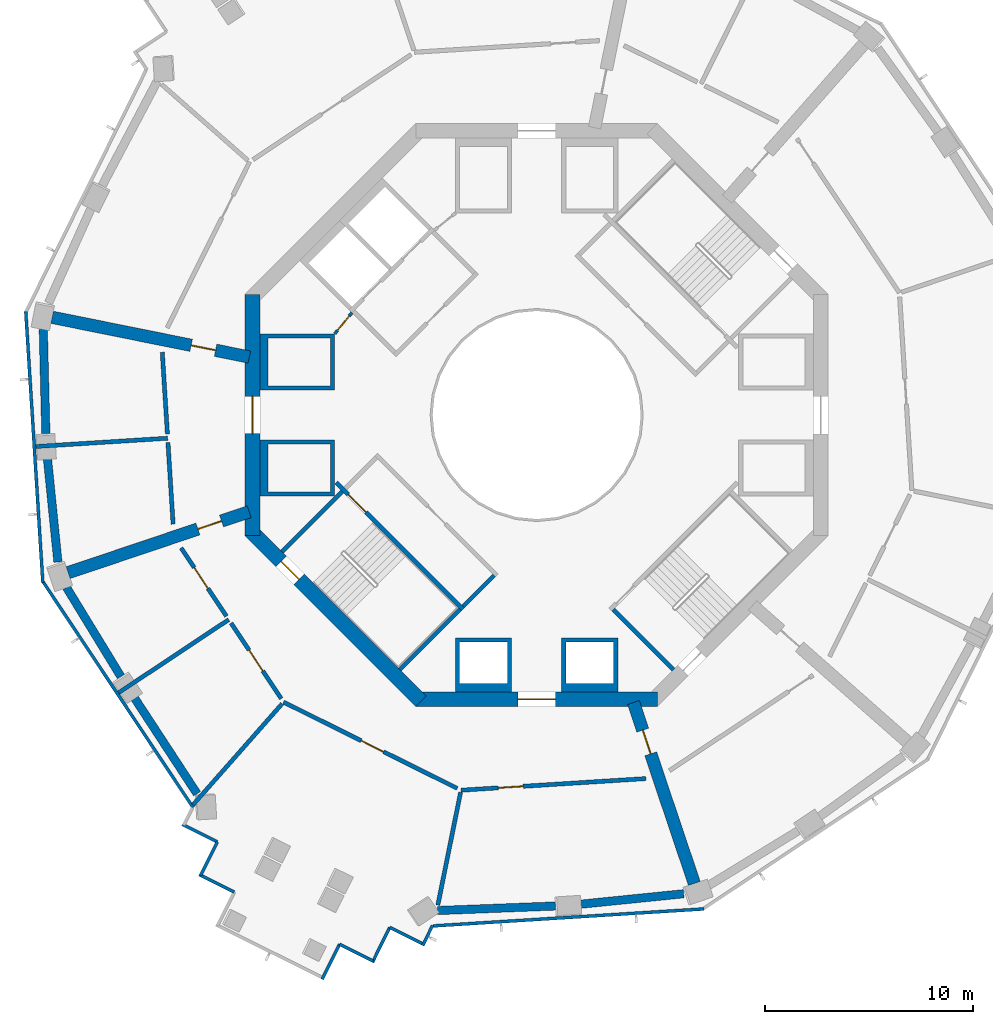
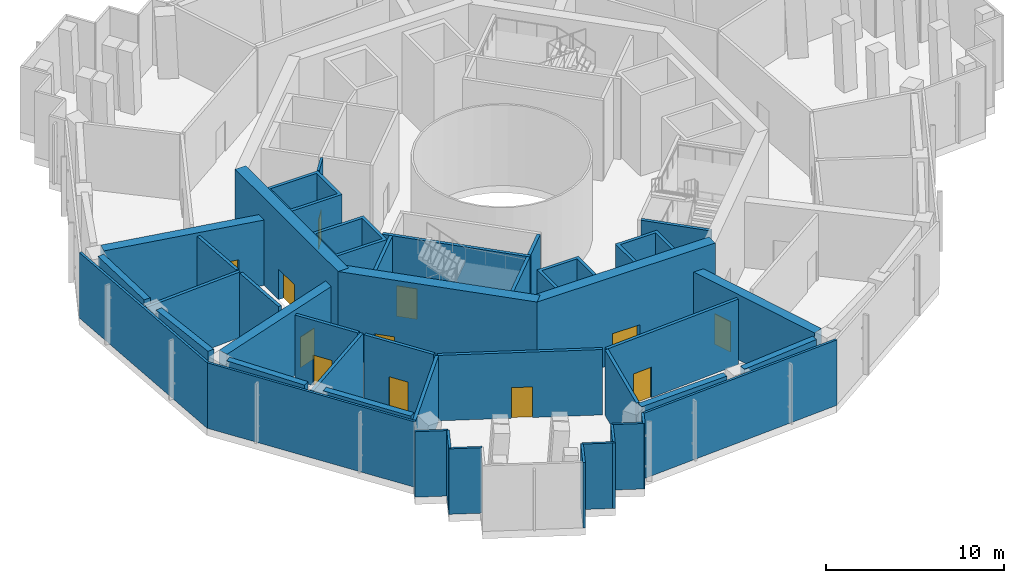
# One storey, part 2 of 16: 43 walls, 12 doors, 12 openings.
"""IFC4 building model written with IfcOpenShell, lengths in metres."""

import ifcopenshell
import ifcopenshell.guid

model = None  # the IFC model being written
_history = None  # IfcOwnerHistory: only IFC2X3 demands one
_inside = {}  # id of a spatial element -> (the spatial element, [elements in it])
_under = {}  # id of a project, library or spatial element -> (it, [spatial elements below it])
_declared = {}  # id of a project -> (the project, [libraries it declares])
_typed = {}  # id of a type object -> (the type object, [elements of that type])
_made_of = {}  # id of a material, layer set ... -> (it, [elements and type objects made of it])


def new_model(schema):
    """Start an empty IFC model of exactly this schema.

    Asked for "IFC4X3", IfcOpenShell would pick the latest addendum, in which some entities
    have other attributes; the version numbers below select the first issue.
    IFC2X3 requires an IfcOwnerHistory on every rooted entity: one is made here for all.
    """
    global model, _history
    if schema == "IFC4X3":
        model = ifcopenshell.file(schema_version=(4, 3, 0, 0))
    else:
        model = ifcopenshell.file(schema=schema)
    _inside.clear()
    _under.clear()
    _declared.clear()
    _typed.clear()
    _made_of.clear()
    _history = None
    if model.schema == "IFC2X3":
        org = make("IfcOrganization", Name="unknown")
        user = make(
            "IfcPersonAndOrganization",
            ThePerson=make("IfcPerson", FamilyName="unknown"),
            TheOrganization=org,
        )
        app = make(
            "IfcApplication",
            ApplicationDeveloper=org,
            Version="unknown",
            ApplicationFullName="unknown",
            ApplicationIdentifier="unknown",
        )
        _history = make(
            "IfcOwnerHistory",
            OwningUser=user,
            OwningApplication=app,
            ChangeAction="ADDED",
            CreationDate=0,
        )
    return model


def make(cls, **values):
    """One entity of the class cls with the attributes given. An attribute that is None is left unset."""
    return model.create_entity(
        cls, **{name: value for name, value in values.items() if value is not None}
    )


def rooted(cls, **values):
    """An entity with a GlobalId (a new one), such as an element, a storey or a relation."""
    return make(cls, GlobalId=ifcopenshell.guid.new(), OwnerHistory=_history, **values)


def si_unit(unit_type, name, prefix=None):
    """IfcSIUnit, for example si_unit("LENGTHUNIT", "METRE", prefix="MILLI")."""
    return make("IfcSIUnit", UnitType=unit_type, Prefix=prefix, Name=name)


def assignment(units):
    """IfcUnitAssignment: the units of a project."""
    return None if units is None else make("IfcUnitAssignment", Units=units)


def point(xyz):
    """IfcCartesianPoint."""
    return None if xyz is None else make("IfcCartesianPoint", Coordinates=xyz)


def direction(xyz):
    """IfcDirection."""
    return None if xyz is None else make("IfcDirection", DirectionRatios=xyz)


def frame(location, z_axis=None, x_axis=None):
    """IfcAxis2Placement3D, a coordinate frame: its origin and axes. An axis left out is left unset."""
    return make(
        "IfcAxis2Placement3D",
        Location=point(location),
        Axis=direction(z_axis),
        RefDirection=direction(x_axis),
    )


def frame_2d(location, x_axis=None):
    """IfcAxis2Placement2D, a coordinate frame in the plane: its origin and x axis."""
    return make(
        "IfcAxis2Placement2D", Location=point(location), RefDirection=direction(x_axis)
    )


def origin():
    """The frame at (0, 0, 0) with its axes left unset."""
    return frame((0.0, 0.0, 0.0))


def place(relative_to, where):
    """IfcLocalPlacement: puts the frame where relative to a parent placement (None: the world)."""
    return make(
        "IfcLocalPlacement", PlacementRelTo=relative_to, RelativePlacement=where
    )


def context(
    kind, dimensions, precision=None, world=None, true_north=None, identifier=None
):
    """IfcGeometricRepresentationContext, for example the 3D "Model" context."""
    return make(
        "IfcGeometricRepresentationContext",
        ContextIdentifier=identifier,
        ContextType=kind,
        CoordinateSpaceDimension=dimensions,
        Precision=precision,
        WorldCoordinateSystem=world,
        TrueNorth=true_north,
    )


def subcontext(parent, identifier, kind, view, scale=None):
    """IfcGeometricRepresentationSubContext, for example "Body" below "Model"."""
    return make(
        "IfcGeometricRepresentationSubContext",
        ContextIdentifier=identifier,
        ContextType=kind,
        ParentContext=parent,
        TargetScale=scale,
        TargetView=view,
    )


def project(units=None, contexts=None):
    """IfcProject with its units and contexts."""
    return rooted(
        "IfcProject",
        Name="project",
        RepresentationContexts=contexts,
        UnitsInContext=assignment(units),
    )


def spatial(cls, under=None, at=None, **own):
    """A site, building, storey or space (cls), placed at a placement, below another one or the project."""
    s = rooted(cls, ObjectPlacement=at, **own)
    if under is not None:
        _under.setdefault(under.id(), (under, []))[1].append(s)
    return s


def polyline(points):
    """IfcPolyline through the points."""
    return make("IfcPolyline", Points=[point(p) for p in points])


def profile(cls, at=None, kind="AREA", **sizes):
    """A parametric profile (cls). Its sizes go by their IFC names, for example OverallWidth=200.0."""
    return make(cls, ProfileType=kind, Position=at, **sizes)


def rectangle(**sizes):
    """IfcRectangleProfileDef."""
    return profile("IfcRectangleProfileDef", **sizes)


def outline(outer, holes=None, kind="AREA"):
    """IfcArbitraryClosedProfileDef: a profile drawn as a closed curve; with holes, ...WithVoids."""
    if holes is None:
        return make("IfcArbitraryClosedProfileDef", ProfileType=kind, OuterCurve=outer)
    return make(
        "IfcArbitraryProfileDefWithVoids",
        ProfileType=kind,
        OuterCurve=outer,
        InnerCurves=holes,
    )


def extrude(swept, where, along, depth):
    """IfcExtrudedAreaSolid: the profile swept, set in the frame where, extruded along a direction by depth."""
    return make(
        "IfcExtrudedAreaSolid",
        SweptArea=swept,
        Position=where,
        ExtrudedDirection=direction(along),
        Depth=depth,
    )


def shape(context_of_items, identifier, shape_type, items):
    """IfcShapeRepresentation: the items that make up one representation, for example the "Body"."""
    return make(
        "IfcShapeRepresentation",
        ContextOfItems=context_of_items,
        RepresentationIdentifier=identifier,
        RepresentationType=shape_type,
        Items=items,
    )


def material(Name=None, Category=None):
    """IfcMaterial."""
    return make("IfcMaterial", Name=Name, Category=Category)


def layer(
    of_material, thickness, ventilated=None, Name=None, Category=None, Priority=None
):
    """IfcMaterialLayer: one layer of a wall or slab, of a material (None: an air gap)."""
    return make(
        "IfcMaterialLayer",
        Material=of_material,
        LayerThickness=thickness,
        IsVentilated=ventilated,
        Name=Name,
        Category=Category,
        Priority=Priority,
    )


def layer_set(layers, Name=None):
    """IfcMaterialLayerSet."""
    return make("IfcMaterialLayerSet", MaterialLayers=layers, LayerSetName=Name)


def made_of(thing, what):
    """Note that an element or type object is made of a material, layer set ...; save() writes the relation."""
    if what is not None:
        _made_of.setdefault(what.id(), (what, []))[1].append(thing)
    return thing


def type_object(cls, material=None, **own):
    """A type object (cls), such as IfcWallType, which elements share."""
    return made_of(rooted(cls, **own), material)


def element(
    cls,
    number,
    at=None,
    inside=None,
    cuts=None,
    type_object=None,
    material=None,
    context=None,
    identifier="Body",
    shape_type=None,
    held_by="IfcProductDefinitionShape",
    body=None,
    shapes=None,
    **own,
):
    """One element of the class cls, such as IfcWall. Its Tag is "e" and its number.

    at: its placement. inside: the storey or other place that contains it. cuts: it is an
    opening in that element (IfcRelVoidsElement). A single representation is given by context,
    identifier, shape_type and body (its items); several are given by shapes. held_by: the class
    of the entity that holds the representations. save() writes the other relations.
    """
    e = rooted(cls, Tag="e%d" % number, ObjectPlacement=at, **own)
    if body is not None:
        shapes = [shape(context, identifier, shape_type, body)]
    if shapes is not None:
        e.Representation = make(held_by, Representations=shapes)
    if inside is not None:
        _inside.setdefault(inside.id(), (inside, []))[1].append(e)
    if cuts is not None:
        rooted(
            "IfcRelVoidsElement", RelatingBuildingElement=cuts, RelatedOpeningElement=e
        )
    if type_object is not None:
        _typed.setdefault(type_object.id(), (type_object, []))[1].append(e)
    return made_of(e, material)


def fill(opening, filler):
    """IfcRelFillsElement: the door or window that sits in an opening."""
    return rooted(
        "IfcRelFillsElement",
        RelatingOpeningElement=opening,
        RelatedBuildingElement=filler,
    )


def aggregate(whole, parts):
    """IfcRelAggregates: a whole, such as a stair, and the parts it consists of."""
    return rooted("IfcRelAggregates", RelatingObject=whole, RelatedObjects=parts)


def save(model, path):
    """Write the relations noted so far, then the file.

    IfcRelAggregates (storeys below a building ...), IfcRelContainedInSpatialStructure (elements
    in a storey), IfcRelDefinesByType, IfcRelAssociatesMaterial and IfcRelDeclares: one each for
    every whole, place, type object, material and project.
    """
    for whole, parts in _under.values():
        aggregate(whole, parts)
    for where, things in _inside.values():
        rooted(
            "IfcRelContainedInSpatialStructure",
            RelatedElements=things,
            RelatingStructure=where,
        )
    for kind, things in _typed.values():
        rooted("IfcRelDefinesByType", RelatedObjects=things, RelatingType=kind)
    for what, things in _made_of.values():
        rooted("IfcRelAssociatesMaterial", RelatedObjects=things, RelatingMaterial=what)
    for by, libraries in _declared.values():
        rooted("IfcRelDeclares", RelatingContext=by, RelatedDefinitions=libraries)
    model.write(path)


model = new_model("IFC4")

# Units and contexts
model_context = context("Model", 3, precision=1e-05, world=origin(), true_north=direction((0.0, 1.0)))
body_context = subcontext(model_context, "Body", "Model", "MODEL_VIEW")
ifc_project = project(units=[si_unit("LENGTHUNIT", "METRE"), si_unit("AREAUNIT", "SQUARE_METRE"), si_unit("VOLUMEUNIT", "CUBIC_METRE"), si_unit("PLANEANGLEUNIT", "RADIAN"), si_unit("MASSUNIT", "GRAM", prefix="KILO")], contexts=[model_context])

# Site, building, storey
site_placement = place(None, origin())
site = spatial("IfcSite", under=ifc_project, at=site_placement, CompositionType="ELEMENT")
building_placement = place(site_placement, origin())
building = spatial("IfcBuilding", under=site, at=building_placement, Name="Verdalira Terraces Hotel", CompositionType="ELEMENT")
storey_placement = place(building_placement, frame((0.0, 0.0, 169.0)))
storey = spatial("IfcBuildingStorey", under=building, at=storey_placement, Name="L41", CompositionType="ELEMENT", Elevation=169.0)

# Walls
ifc_material_1 = material(Name="Concrete C70", Category="concrete")
ifc_layer_1 = layer(ifc_material_1, 0.39990234375)
ifc_layer_set_1 = layer_set([ifc_layer_1], Name="Belt wall 400 C70")
wall_type_1 = type_object("IfcWallType", Name="Belt wall 400 C70", PredefinedType="SHEAR", material=ifc_layer_set_1)
for number, where, z_axis, x_axis, name in (
    (1, (-23.699219, 4.121582, 0.0), (0.0, 0.0, 1.0), (0.02449338, -0.999699992, 0.0), "Belt wall BW-41-3"),
    (2, (-23.501953, -2.071289, 0.0), (0.0, 0.0, 1.0), (0.100993385, -0.994887097, 0.0), "Belt wall BW-41-4"),
    (3, (-22.584961, -8.280273, 0.0), (0.0, 0.0, 1.0), (0.521075726, -0.85351045, 0.0), "Belt wall BW-41-5"),
):
    element("IfcWall", number, at=place(storey_placement, frame(where, z_axis=z_axis, x_axis=x_axis)), inside=storey, type_object=wall_type_1, Name=name, PredefinedType="SHEAR", context=body_context, shape_type="SweptSolid", body=[
        extrude(rectangle(XDim=5.013672, YDim=0.399902, at=frame_2d((2.506836, 0.0))), origin(), (0.0, 0.0, 1.0), 4.5),
    ])
wall_1_placement = place(storey_placement, frame((-19.347412, -13.548584, 0.0), z_axis=(0.0, 0.0, 1.0), x_axis=(0.547293245, -0.83694092, 0.0)))
element("IfcWall", 4, at=wall_1_placement, inside=storey, type_object=wall_type_1, Name="Belt wall BW-41-6", PredefinedType="SHEAR", context=body_context, shape_type="SweptSolid", body=[
    extrude(rectangle(XDim=5.546143, YDim=0.399902, at=frame_2d((2.772949, 0.0))), origin(), (0.0, 0.0, 1.0), 4.5),
])
wall_2_placement = place(storey_placement, frame((-4.763184, -23.802002, 0.0), z_axis=(0.0, 0.0, 1.0), x_axis=(0.999260665, 0.038446364, 0.0)))
element("IfcWall", 5, at=wall_2_placement, inside=storey, type_object=wall_type_1, Name="Belt wall BW-41-7", PredefinedType="SHEAR", context=body_context, shape_type="SweptSolid", body=[
    extrude(rectangle(XDim=5.664307, YDim=0.399902, at=frame_2d((2.832031, 0.0))), origin(), (0.0, 0.0, 1.0), 4.5),
])
wall_3_placement = place(storey_placement, frame((2.071289, -23.501953, 0.0), z_axis=(0.0, 0.0, 1.0), x_axis=(0.994887097, 0.100993385, 0.0)))
element("IfcWall", 6, at=wall_3_placement, inside=storey, type_object=wall_type_1, Name="Belt wall BW-41-8", PredefinedType="SHEAR", context=body_context, shape_type="SweptSolid", body=[
    extrude(rectangle(XDim=5.013672, YDim=0.399902, at=frame_2d((2.506836, 0.0))), origin(), (0.0, 0.0, 1.0), 4.5),
])
ifc_material_2 = material(Name="Concrete C50", Category="concrete")
ifc_layer_2 = layer(ifc_material_2, 0.199951171875)
ifc_layer_set_2 = layer_set([ifc_layer_2], Name="Core RC wall 200 C50")
wall_type_2 = type_object("IfcWallType", Name="Core RC wall 200 C50", PredefinedType="SOLIDWALL", material=ifc_layer_set_2)
wall_4_placement = place(storey_placement, origin())
element("IfcWall", 7, at=wall_4_placement, inside=storey, type_object=wall_type_2, Name="L41 shaft wall W1", PredefinedType="SOLIDWALL", context=body_context, shape_type="SweptSolid", body=[
    extrude(outline(polyline([(-13.300049, 1.199951), (-13.300049, 3.899902), (-9.699951, 3.899902), (-9.699951, 1.199951), (-13.300049, 1.199951)]), holes=[polyline([(-9.899902, 3.699951), (-12.899902, 3.699951), (-12.899902, 1.399902), (-9.899902, 1.399902), (-9.899902, 3.699951)])]), origin(), (0.0, 0.0, 1.0), 5.550049),
])
wall_5_placement = place(storey_placement, origin())
element("IfcWall", 8, at=wall_5_placement, inside=storey, type_object=wall_type_2, Name="L41 shaft wall W2", PredefinedType="SOLIDWALL", context=body_context, shape_type="SweptSolid", body=[
    extrude(outline(polyline([(-9.699951, -3.899902), (-13.300049, -3.899902), (-13.300049, -1.199951), (-9.699951, -1.199951), (-9.699951, -3.899902)]), holes=[polyline([(-12.899902, -1.399902), (-12.899902, -3.699951), (-9.899902, -3.699951), (-9.899902, -1.399902), (-12.899902, -1.399902)])]), origin(), (0.0, 0.0, 1.0), 5.550049),
])
wall_6_placement = place(storey_placement, origin())
element("IfcWall", 9, at=wall_6_placement, inside=storey, type_object=wall_type_2, Name="L41 shaft wall S1", PredefinedType="SOLIDWALL", context=body_context, shape_type="SweptSolid", body=[
    extrude(outline(polyline([(-1.199951, -13.300049), (-3.899902, -13.300049), (-3.899902, -10.699951), (-1.199951, -10.699951), (-1.199951, -13.300049)]), holes=[polyline([(-3.699951, -10.899902), (-3.699951, -12.899902), (-1.399902, -12.899902), (-1.399902, -10.899902), (-3.699951, -10.899902)])]), origin(), (0.0, 0.0, 1.0), 5.550049),
])
wall_7_placement = place(storey_placement, origin())
element("IfcWall", 10, at=wall_7_placement, inside=storey, type_object=wall_type_2, Name="L41 shaft wall S2", PredefinedType="SOLIDWALL", context=body_context, shape_type="SweptSolid", body=[
    extrude(outline(polyline([(3.899902, -10.699951), (3.899902, -13.300049), (1.199951, -13.300049), (1.199951, -10.699951), (3.899902, -10.699951)]), holes=[polyline([(1.399902, -12.899902), (3.699951, -12.899902), (3.699951, -10.899902), (1.399902, -10.899902), (1.399902, -12.899902)])]), origin(), (0.0, 0.0, 1.0), 5.550049),
])

# Wall, opening, door
wall_8_placement = place(storey_placement, frame((-3.5354, -9.33374, 0.0), z_axis=(0.0, 0.0, 1.0), x_axis=(-0.707120946, 0.707092617, 0.0)))
wall_8 = element("IfcWall", 11, at=wall_8_placement, inside=storey, type_object=wall_type_2, Name="L41 stair ST2 front wall", PredefinedType="SOLIDWALL", context=body_context, shape_type="SweptSolid", body=[
    extrude(rectangle(XDim=8.61792, YDim=0.199951, at=frame_2d((4.309082, 0.0))), origin(), (0.0, 0.0, 1.0), 5.550049),
])
opening_1_placement = place(wall_8_placement, frame((6.600098, 0.0, 0.0)))
opening_1 = element("IfcOpeningElement", 12, at=opening_1_placement, cuts=wall_8, Name="Opening L41-804", PredefinedType="OPENING", context=body_context, shape_type="SweptSolid", body=[
    extrude(rectangle(XDim=1.199951, YDim=2.100098, at=frame_2d((0.600098, 1.050049))), frame((0.0, 0.109863, 0.0), z_axis=(0.0, -1.0, 0.0), x_axis=(1.0, 0.0, 0.0)), (0.0, 0.0, 1.0), 0.219971),
])
ifc_material_3 = material(Name="Steel fire door", Category="steel")
door_type_1 = type_object("IfcDoorType", Name="Stair door 1200 x 2100", OperationType="NOTDEFINED", PredefinedType="DOOR", material=ifc_material_3)
door_1_placement = place(opening_1_placement, origin())
door_1 = element("IfcDoor", 13, at=door_1_placement, inside=storey, type_object=door_type_1, Name="Stair door ST2 L41", OperationType="SINGLE_SWING_RIGHT", OverallHeight=2.10009765625, OverallWidth=1.199951171875, PredefinedType="DOOR", context=body_context, shape_type="SweptSolid", body=[
    extrude(rectangle(XDim=1.199951, YDim=2.100098, at=frame_2d((0.600098, 1.050049))), frame((0.0, 0.024902, 0.0), z_axis=(0.0, -1.0, 0.0), x_axis=(1.0, 0.0, 0.0)), (0.0, 0.0, 1.0), 0.050049),
])
fill(opening_1, door_1)

# Walls
for number, where, z_axis, x_axis, name in (
    (14, (-9.33374, -3.677002, 0.0), (0.0, 0.0, 1.0), (-0.707106781, -0.707106781, 0.0), "L41 stair ST2 end wall 1"),
    (15, (-3.677002, -9.33374, 0.0), (0.0, 0.0, 1.0), (-0.707106781, -0.707106781, 0.0), "L41 stair ST2 end wall 2"),
    (16, (3.677002, -9.33374, 0.0), (0.0, 0.0, 1.0), (0.707106781, -0.707106781, 0.0), "L41 stair ST3 end wall 1"),
):
    element("IfcWall", number, at=place(storey_placement, frame(where, z_axis=z_axis, x_axis=x_axis)), inside=storey, type_object=wall_type_2, Name=name, PredefinedType="SOLIDWALL", context=body_context, shape_type="SweptSolid", body=[
        extrude(rectangle(XDim=4.100098, YDim=0.199951, at=frame_2d((2.050049, 0.0))), origin(), (0.0, 0.0, 1.0), 5.550049),
    ])
wall_9_placement = place(storey_placement, frame((-2.050537, -7.70752, 0.0), z_axis=(0.0, 0.0, 1.0), x_axis=(-0.707106781, -0.707106781, 0.0)))
element("IfcWall", 17, at=wall_9_placement, inside=storey, type_object=wall_type_2, Name="Stair lobby wall ST2 L41", PredefinedType="SOLIDWALL", context=body_context, shape_type="SweptSolid", body=[
    extrude(rectangle(XDim=2.099854, YDim=0.199951, at=frame_2d((1.049805, 0.0))), origin(), (0.0, 0.0, 1.0), 5.550049),
])

# Wall, opening, door
ifc_material_4 = material(Name="Gypsum board partition")
ifc_layer_3 = layer(ifc_material_4, 0.14990234375)
ifc_layer_set_3 = layer_set([ifc_layer_3], Name="Core partition 150 mm")
wall_type_3 = type_object("IfcWallType", Name="Core partition 150 mm", PredefinedType="PARTITIONING", material=ifc_layer_set_3)
wall_10_placement = place(storey_placement, frame((-8.874268, 4.914307, 0.0), z_axis=(0.0, 0.0, 1.0), x_axis=(-0.631274009, -0.775559878, 0.0)))
wall_10 = element("IfcWall", 18, at=wall_10_placement, inside=storey, type_object=wall_type_3, Name="Room partition L41", PredefinedType="PARTITIONING", context=body_context, shape_type="SweptSolid", body=[
    extrude(rectangle(XDim=1.307861, YDim=0.149902, at=frame_2d((0.653809, 0.0))), origin(), (0.0, 0.0, 1.0), 5.550049),
])
opening_2_placement = place(wall_10_placement, frame((0.204102, 0.0, 0.0)))
opening_2 = element("IfcOpeningElement", 19, at=opening_2_placement, cuts=wall_10, Name="Opening L41-815", PredefinedType="OPENING", context=body_context, shape_type="SweptSolid", body=[
    extrude(rectangle(XDim=0.899902, YDim=2.100098, at=frame_2d((0.449951, 1.050049))), frame((0.0, 0.084961, 0.0), z_axis=(0.0, -1.0, 0.0), x_axis=(1.0, 0.0, 0.0)), (0.0, 0.0, 1.0), 0.169922),
])
ifc_material_5 = material(Name="Steel fire door", Category="steel")
door_type_2 = type_object("IfcDoorType", Name="Core room door 900 x 2100", OperationType="NOTDEFINED", PredefinedType="DOOR", material=ifc_material_5)
door_2_placement = place(opening_2_placement, origin())
door_2 = element("IfcDoor", 20, at=door_2_placement, inside=storey, type_object=door_type_2, Name="Door L41 room3", OperationType="SINGLE_SWING_LEFT", OverallHeight=2.10009765625, OverallWidth=0.89990234375, PredefinedType="DOOR", context=body_context, shape_type="SweptSolid", body=[
    extrude(rectangle(XDim=0.899902, YDim=2.100098, at=frame_2d((0.449951, 1.050049))), frame((0.0, 0.024902, 0.0), z_axis=(0.0, -1.0, 0.0), x_axis=(1.0, 0.0, 0.0)), (0.0, 0.0, 1.0), 0.050049),
])
fill(opening_2, door_2)

ifc_material_6 = material(Name="Concrete C60", Category="concrete")
ifc_layer_4 = layer(ifc_material_6, 0.699951171875)
ifc_layer_set_4 = layer_set([ifc_layer_4], Name="Core wall 700 C60")
wall_type_4 = type_object("IfcWallType", Name="Core wall 700 C60", PredefinedType="SHEAR", material=ifc_layer_set_4)
wall_11_placement = place(storey_placement, frame((-13.649902, 5.799072, 0.0), z_axis=(0.0, 0.0, 1.0), x_axis=(0.0, -1.0, 0.0)))
wall_11 = element("IfcWall", 21, at=wall_11_placement, inside=storey, type_object=wall_type_4, Name="Core wall CW-L41-5", PredefinedType="SHEAR", context=body_context, shape_type="SweptSolid", body=[
    extrude(rectangle(XDim=11.598145, YDim=0.699951, at=frame_2d((5.799072, 0.0))), origin(), (0.0, 0.0, 1.0), 6.0),
])
opening_3_placement = place(wall_11_placement, frame((4.898926, 0.0, 0.0)))
opening_3 = element("IfcOpeningElement", 22, at=opening_3_placement, cuts=wall_11, Name="Opening L41-808", PredefinedType="OPENING", context=body_context, shape_type="SweptSolid", body=[
    extrude(rectangle(XDim=1.800049, YDim=2.100098, at=frame_2d((0.899902, 1.050049))), frame((0.0, 0.359863, 0.0), z_axis=(0.0, -1.0, 0.0), x_axis=(1.0, 0.0, 0.0)), (0.0, 0.0, 1.0), 0.719971),
])
ifc_material_7 = material(Name="Steel fire door", Category="steel")
door_type_3 = type_object("IfcDoorType", Name="Core entry door pair 1800 x 2100", OperationType="NOTDEFINED", PredefinedType="DOOR", material=ifc_material_7)
door_3_placement = place(opening_3_placement, origin())
door_3 = element("IfcDoor", 23, at=door_3_placement, inside=storey, type_object=door_type_3, Name="Core entry door L41 4", OperationType="DOUBLE_DOOR_SINGLE_SWING", OverallHeight=2.10009765625, OverallWidth=1.800048828125, PredefinedType="DOOR", context=body_context, shape_type="SweptSolid", body=[
    extrude(rectangle(XDim=1.800049, YDim=2.100098, at=frame_2d((0.899902, 1.050049))), frame((0.0, 0.024902, 0.0), z_axis=(0.0, -1.0, 0.0), x_axis=(1.0, 0.0, 0.0)), (0.0, 0.0, 1.0), 0.050049),
])
fill(opening_3, door_3)

wall_12_placement = place(storey_placement, frame((-13.752441, -5.551514, 0.0), z_axis=(0.0, 0.0, 1.0), x_axis=(0.707106781, -0.707106781, 0.0)))
wall_12 = element("IfcWall", 24, at=wall_12_placement, inside=storey, type_object=wall_type_4, Name="Core wall CW-L41-6", PredefinedType="SHEAR", context=body_context, shape_type="SweptSolid", body=[
    extrude(rectangle(XDim=11.5979, YDim=0.699951, at=frame_2d((5.798828, 0.0))), origin(), (0.0, 0.0, 1.0), 6.0),
])
opening_4_placement = place(wall_12_placement, frame((2.099121, 0.0, 0.0)))
opening_4 = element("IfcOpeningElement", 25, at=opening_4_placement, cuts=wall_12, Name="Opening L41-811", PredefinedType="OPENING", context=body_context, shape_type="SweptSolid", body=[
    extrude(rectangle(XDim=1.199951, YDim=2.100098, at=frame_2d((0.600098, 1.050049))), frame((0.0, 0.359863, 0.0), z_axis=(0.0, -1.0, 0.0), x_axis=(1.0, 0.0, 0.0)), (0.0, 0.0, 1.0), 0.719971),
])
door_4_placement = place(opening_4_placement, origin())
door_4 = element("IfcDoor", 26, at=door_4_placement, inside=storey, type_object=door_type_1, Name="Stair exit door ST2 L41", OperationType="SINGLE_SWING_LEFT", OverallHeight=2.10009765625, OverallWidth=1.199951171875, PredefinedType="DOOR", context=body_context, shape_type="SweptSolid", body=[
    extrude(rectangle(XDim=1.199951, YDim=2.100098, at=frame_2d((0.600098, 1.050049))), frame((0.0, 0.024902, 0.0), z_axis=(0.0, -1.0, 0.0), x_axis=(1.0, 0.0, 0.0)), (0.0, 0.0, 1.0), 0.050049),
])
fill(opening_4, door_4)

wall_13_placement = place(storey_placement, frame((-5.799072, -13.649902, 0.0), z_axis=(0.0, 0.0, 1.0), x_axis=(1.0, 0.0, 0.0)))
wall_13 = element("IfcWall", 27, at=wall_13_placement, inside=storey, type_object=wall_type_4, Name="Core wall CW-L41-7", PredefinedType="SHEAR", context=body_context, shape_type="SweptSolid", body=[
    extrude(rectangle(XDim=11.598145, YDim=0.699951, at=frame_2d((5.799072, 0.0))), origin(), (0.0, 0.0, 1.0), 6.0),
])
opening_5_placement = place(wall_13_placement, frame((4.898926, 0.0, 0.0)))
opening_5 = element("IfcOpeningElement", 28, at=opening_5_placement, cuts=wall_13, Name="Opening L41-809", PredefinedType="OPENING", context=body_context, shape_type="SweptSolid", body=[
    extrude(rectangle(XDim=1.800049, YDim=2.100098, at=frame_2d((0.899902, 1.050049))), frame((0.0, 0.359863, 0.0), z_axis=(0.0, -1.0, 0.0), x_axis=(1.0, 0.0, 0.0)), (0.0, 0.0, 1.0), 0.719971),
])
door_5_placement = place(opening_5_placement, origin())
door_5 = element("IfcDoor", 29, at=door_5_placement, inside=storey, type_object=door_type_3, Name="Core entry door L41 6", OperationType="DOUBLE_DOOR_SINGLE_SWING", OverallHeight=2.10009765625, OverallWidth=1.800048828125, PredefinedType="DOOR", context=body_context, shape_type="SweptSolid", body=[
    extrude(rectangle(XDim=1.800049, YDim=2.100098, at=frame_2d((0.899902, 1.050049))), frame((0.0, 0.024902, 0.0), z_axis=(0.0, -1.0, 0.0), x_axis=(1.0, 0.0, 0.0)), (0.0, 0.0, 1.0), 0.050049),
])
fill(opening_5, door_5)

ifc_material_8 = material(Name="Concrete C70", Category="concrete")
ifc_layer_5 = layer(ifc_material_8, 0.60009765625)
ifc_layer_set_5 = layer_set([ifc_layer_5], Name="Outrigger wall 600 C70")
wall_type_5 = type_object("IfcWallType", Name="Outrigger wall 600 C70", PredefinedType="SHEAR", material=ifc_layer_set_5)
wall_14_placement = place(storey_placement, frame((-13.803955, 2.783447, 0.0), z_axis=(0.0, 0.0, 1.0), x_axis=(-0.980274297, 0.197641857, 0.0)))
wall_14 = element("IfcWall", 30, at=wall_14_placement, inside=storey, type_object=wall_type_5, Name="Outrigger wall OW-41-1", PredefinedType="SHEAR", context=body_context, shape_type="SweptSolid", body=[
    extrude(rectangle(XDim=9.661133, YDim=0.600098, at=frame_2d((4.830566, 0.0))), origin(), (0.0, 0.0, 1.0), 4.5),
])
opening_6_placement = place(wall_14_placement, frame((1.649902, 0.0, 0.0)))
opening_6 = element("IfcOpeningElement", 31, at=opening_6_placement, cuts=wall_14, Name="Opening L41-101", PredefinedType="OPENING", context=body_context, shape_type="SweptSolid", body=[
    extrude(rectangle(XDim=1.199951, YDim=2.100098, at=frame_2d((0.600098, 1.050049))), frame((0.0, 0.310059, 0.0), z_axis=(0.0, -1.0, 0.0), x_axis=(1.0, 0.0, 0.0)), (0.0, 0.0, 1.0), 0.620117),
])
ifc_material_9 = material(Name="Steel fire door", Category="steel")
door_type_4 = type_object("IfcDoorType", Name="Plant room door 1200 x 2100", OperationType="NOTDEFINED", PredefinedType="DOOR", material=ifc_material_9)
door_6_placement = place(opening_6_placement, origin())
door_6 = element("IfcDoor", 32, at=door_6_placement, inside=storey, type_object=door_type_4, Name="Plant room door", OperationType="SINGLE_SWING_LEFT", OverallHeight=2.10009765625, OverallWidth=1.199951171875, PredefinedType="DOOR", context=body_context, shape_type="SweptSolid", body=[
    extrude(rectangle(XDim=1.199951, YDim=2.100098, at=frame_2d((0.600098, 1.050049))), frame((0.0, 0.024902, 0.0), z_axis=(0.0, -1.0, 0.0), x_axis=(1.0, 0.0, 0.0)), (0.0, 0.0, 1.0), 0.050049),
])
fill(opening_6, door_6)

wall_15_placement = place(storey_placement, frame((-13.810303, -4.647705, 0.0), z_axis=(0.0, 0.0, 1.0), x_axis=(-0.947768972, -0.31895764, 0.0)))
wall_15 = element("IfcWall", 33, at=wall_15_placement, inside=storey, type_object=wall_type_5, Name="Outrigger wall OW-41-2", PredefinedType="SHEAR", context=body_context, shape_type="SweptSolid", body=[
    extrude(rectangle(XDim=9.171387, YDim=0.600098, at=frame_2d((4.585693, 0.0))), origin(), (0.0, 0.0, 1.0), 4.5),
])
opening_7_placement = place(wall_15_placement, frame((1.399902, 0.0, 0.0)))
opening_7 = element("IfcOpeningElement", 34, at=opening_7_placement, cuts=wall_15, Name="Opening L41-102", PredefinedType="OPENING", context=body_context, shape_type="SweptSolid", body=[
    extrude(rectangle(XDim=1.199951, YDim=2.100098, at=frame_2d((0.600098, 1.050049))), frame((0.0, 0.310059, 0.0), z_axis=(0.0, -1.0, 0.0), x_axis=(1.0, 0.0, 0.0)), (0.0, 0.0, 1.0), 0.620117),
])
door_7_placement = place(opening_7_placement, origin())
door_7 = element("IfcDoor", 35, at=door_7_placement, inside=storey, type_object=door_type_4, Name="Plant room door", OperationType="SINGLE_SWING_LEFT", OverallHeight=2.10009765625, OverallWidth=1.199951171875, PredefinedType="DOOR", context=body_context, shape_type="SweptSolid", body=[
    extrude(rectangle(XDim=1.199951, YDim=2.100098, at=frame_2d((0.600098, 1.050049))), frame((0.0, 0.024902, 0.0), z_axis=(0.0, -1.0, 0.0), x_axis=(1.0, 0.0, 0.0)), (0.0, 0.0, 1.0), 0.050049),
])
fill(opening_7, door_7)

wall_16_placement = place(storey_placement, frame((4.647705, -13.810303, 0.0), z_axis=(0.0, 0.0, 1.0), x_axis=(0.31895764, -0.947768972, 0.0)))
wall_16 = element("IfcWall", 36, at=wall_16_placement, inside=storey, type_object=wall_type_5, Name="Outrigger wall OW-41-3", PredefinedType="SHEAR", context=body_context, shape_type="SweptSolid", body=[
    extrude(rectangle(XDim=9.171387, YDim=0.600098, at=frame_2d((4.585693, 0.0))), origin(), (0.0, 0.0, 1.0), 4.5),
])
opening_8_placement = place(wall_16_placement, frame((1.399902, 0.0, 0.0)))
opening_8 = element("IfcOpeningElement", 37, at=opening_8_placement, cuts=wall_16, Name="Opening L41-103", PredefinedType="OPENING", context=body_context, shape_type="SweptSolid", body=[
    extrude(rectangle(XDim=1.199951, YDim=2.100098, at=frame_2d((0.600098, 1.050049))), frame((0.0, 0.310059, 0.0), z_axis=(0.0, -1.0, 0.0), x_axis=(1.0, 0.0, 0.0)), (0.0, 0.0, 1.0), 0.620117),
])
door_8_placement = place(opening_8_placement, origin())
door_8 = element("IfcDoor", 38, at=door_8_placement, inside=storey, type_object=door_type_4, Name="Plant room door", OperationType="SINGLE_SWING_LEFT", OverallHeight=2.10009765625, OverallWidth=1.199951171875, PredefinedType="DOOR", context=body_context, shape_type="SweptSolid", body=[
    extrude(rectangle(XDim=1.199951, YDim=2.100098, at=frame_2d((0.600098, 1.050049))), frame((0.0, 0.024902, 0.0), z_axis=(0.0, -1.0, 0.0), x_axis=(1.0, 0.0, 0.0)), (0.0, 0.0, 1.0), 0.050049),
])
fill(opening_8, door_8)

# Walls
ifc_material_10 = material(Name="Fire-rated concrete block wall", Category="concrete")
ifc_layer_6 = layer(ifc_material_10, 0.199951171875)
ifc_layer_set_6 = layer_set([ifc_layer_6], Name="Plant room wall 200 mm")
wall_type_6 = type_object("IfcWallType", Name="Plant room wall 200 mm", PredefinedType="SOLIDWALL", material=ifc_layer_set_6)
wall_17_placement = place(storey_placement, frame((-17.723389, -1.11499, 0.0), z_axis=(0.0, 0.0, 1.0), x_axis=(-0.998024653, -0.062823495, 0.0)))
element("IfcWall", 39, at=wall_17_placement, inside=storey, type_object=wall_type_6, Name="Plant room wall", PredefinedType="SOLIDWALL", context=body_context, shape_type="SweptSolid", body=[
    extrude(rectangle(XDim=6.349854, YDim=0.199951, at=frame_2d((3.174805, 0.0))), origin(), (0.0, 0.0, 1.0), 4.5),
])
for number, where, z_axis, x_axis, name in (
    (40, (-17.98291, 3.013428, 0.0), (0.0, 0.0, 1.0), (0.062764399, -0.998028371, 0.0), "Plant room wall"),
    (41, (-17.710693, -1.314697, 0.0), (0.0, 0.0, 1.0), (0.062826175, -0.998024485, 0.0), "Plant room wall"),
):
    element("IfcWall", number, at=place(storey_placement, frame(where, z_axis=z_axis, x_axis=x_axis)), inside=storey, type_object=wall_type_6, Name=name, PredefinedType="SOLIDWALL", context=body_context, shape_type="SweptSolid", body=[
        extrude(rectangle(XDim=3.936523, YDim=0.199951, at=frame_2d((1.968262, 0.0))), origin(), (0.0, 0.0, 1.0), 4.5),
    ])
wall_18_placement = place(storey_placement, frame((-14.79126, -9.827393, 0.0), z_axis=(0.0, 0.0, 1.0), x_axis=(-0.832930583, -0.553377487, 0.0)))
element("IfcWall", 42, at=wall_18_placement, inside=storey, type_object=wall_type_6, Name="Plant room wall", PredefinedType="SOLIDWALL", context=body_context, shape_type="SweptSolid", body=[
    extrude(rectangle(XDim=6.349854, YDim=0.199951, at=frame_2d((3.174805, 0.0))), origin(), (0.0, 0.0, 1.0), 4.5),
])

# Wall, opening, door
wall_19_placement = place(storey_placement, frame((-14.9021, -9.660645, 0.0), z_axis=(0.0, 0.0, 1.0), x_axis=(-0.553397114, 0.832917543, 0.0)))
wall_19 = element("IfcWall", 43, at=wall_19_placement, inside=storey, type_object=wall_type_6, Name="Plant room wall", PredefinedType="SOLIDWALL", context=body_context, shape_type="SweptSolid", body=[
    extrude(rectangle(XDim=3.936523, YDim=0.199951, at=frame_2d((1.968262, 0.0))), origin(), (0.0, 0.0, 1.0), 4.5),
])
opening_9_placement = place(wall_19_placement, frame((1.600098, 0.0, 0.0)))
opening_9 = element("IfcOpeningElement", 44, at=opening_9_placement, cuts=wall_19, Name="Opening L41-109", PredefinedType="OPENING", context=body_context, shape_type="SweptSolid", body=[
    extrude(rectangle(XDim=1.199951, YDim=2.100098, at=frame_2d((0.600098, 1.050049))), frame((0.0, 0.109863, 0.0), z_axis=(0.0, -1.0, 0.0), x_axis=(1.0, 0.0, 0.0)), (0.0, 0.0, 1.0), 0.219971),
])
door_9_placement = place(opening_9_placement, origin())
door_9 = element("IfcDoor", 45, at=door_9_placement, inside=storey, type_object=door_type_4, Name="Plant room door 4103", OperationType="SINGLE_SWING_LEFT", OverallHeight=2.10009765625, OverallWidth=1.199951171875, PredefinedType="DOOR", context=body_context, shape_type="SweptSolid", body=[
    extrude(rectangle(XDim=1.199951, YDim=2.100098, at=frame_2d((0.600098, 1.050049))), frame((0.0, 0.024902, 0.0), z_axis=(0.0, -1.0, 0.0), x_axis=(1.0, 0.0, 0.0)), (0.0, 0.0, 1.0), 0.050049),
])
fill(opening_9, door_9)

# Wall
wall_20_placement = place(storey_placement, frame((-12.226562, -13.868408, 0.0), z_axis=(0.0, 0.0, 1.0), x_axis=(-0.661318579, -0.750105151, 0.0)))
element("IfcWall", 46, at=wall_20_placement, inside=storey, type_object=wall_type_6, Name="Plant room wall", PredefinedType="SOLIDWALL", context=body_context, shape_type="SweptSolid", body=[
    extrude(rectangle(XDim=6.475586, YDim=0.199951, at=frame_2d((3.237793, 0.0))), origin(), (0.0, 0.0, 1.0), 4.5),
])

# Wall, opening, door
wall_21_placement = place(storey_placement, frame((-12.268799, -13.624023, 0.0), z_axis=(0.0, 0.0, 1.0), x_axis=(-0.553393882, 0.832919691, 0.0)))
wall_21 = element("IfcWall", 47, at=wall_21_placement, inside=storey, type_object=wall_type_6, Name="Plant room wall", PredefinedType="SOLIDWALL", context=body_context, shape_type="SweptSolid", body=[
    extrude(rectangle(XDim=4.358398, YDim=0.199951, at=frame_2d((2.179199, 0.0))), origin(), (0.0, 0.0, 1.0), 4.5),
])
opening_10_placement = place(wall_21_placement, frame((1.600098, 0.0, 0.0)))
opening_10 = element("IfcOpeningElement", 48, at=opening_10_placement, cuts=wall_21, Name="Opening L41-110", PredefinedType="OPENING", context=body_context, shape_type="SweptSolid", body=[
    extrude(rectangle(XDim=1.199951, YDim=2.100098, at=frame_2d((0.600098, 1.050049))), frame((0.0, 0.109863, 0.0), z_axis=(0.0, -1.0, 0.0), x_axis=(1.0, 0.0, 0.0)), (0.0, 0.0, 1.0), 0.219971),
])
door_10_placement = place(opening_10_placement, origin())
door_10 = element("IfcDoor", 49, at=door_10_placement, inside=storey, type_object=door_type_4, Name="Plant room door 4104", OperationType="SINGLE_SWING_LEFT", OverallHeight=2.10009765625, OverallWidth=1.199951171875, PredefinedType="DOOR", context=body_context, shape_type="SweptSolid", body=[
    extrude(rectangle(XDim=1.199951, YDim=2.100098, at=frame_2d((0.600098, 1.050049))), frame((0.0, 0.024902, 0.0), z_axis=(0.0, -1.0, 0.0), x_axis=(1.0, 0.0, 0.0)), (0.0, 0.0, 1.0), 0.050049),
])
fill(opening_10, door_10)

wall_22_placement = place(storey_placement, frame((-3.812988, -17.933105, 0.0), z_axis=(0.0, 0.0, 1.0), x_axis=(-0.895707541, 0.444643678, 0.0)))
wall_22 = element("IfcWall", 50, at=wall_22_placement, inside=storey, type_object=wall_type_6, Name="Plant room wall", PredefinedType="SOLIDWALL", context=body_context, shape_type="SweptSolid", body=[
    extrude(rectangle(XDim=9.31665, YDim=0.199951, at=frame_2d((4.658203, 0.0))), origin(), (0.0, 0.0, 1.0), 4.5),
])
opening_11_placement = place(wall_22_placement, frame((3.949951, 0.0, 0.0)))
opening_11 = element("IfcOpeningElement", 51, at=opening_11_placement, cuts=wall_22, Name="Opening L41-111", PredefinedType="OPENING", context=body_context, shape_type="SweptSolid", body=[
    extrude(rectangle(XDim=1.199951, YDim=2.100098, at=frame_2d((0.600098, 1.050049))), frame((0.0, 0.109863, 0.0), z_axis=(0.0, -1.0, 0.0), x_axis=(1.0, 0.0, 0.0)), (0.0, 0.0, 1.0), 0.219971),
])
door_11_placement = place(opening_11_placement, origin())
door_11 = element("IfcDoor", 52, at=door_11_placement, inside=storey, type_object=door_type_4, Name="Plant room door 4105", OperationType="SINGLE_SWING_LEFT", OverallHeight=2.10009765625, OverallWidth=1.199951171875, PredefinedType="DOOR", context=body_context, shape_type="SweptSolid", body=[
    extrude(rectangle(XDim=1.199951, YDim=2.100098, at=frame_2d((0.600098, 1.050049))), frame((0.0, 0.024902, 0.0), z_axis=(0.0, -1.0, 0.0), x_axis=(1.0, 0.0, 0.0)), (0.0, 0.0, 1.0), 0.050049),
])
fill(opening_11, door_11)

# Wall
wall_23_placement = place(storey_placement, frame((-3.654297, -18.123535, 0.0), z_axis=(0.0, 0.0, 1.0), x_axis=(-0.197670759, -0.980268469, 0.0)))
element("IfcWall", 53, at=wall_23_placement, inside=storey, type_object=wall_type_6, Name="Plant room wall", PredefinedType="SOLIDWALL", context=body_context, shape_type="SweptSolid", body=[
    extrude(rectangle(XDim=5.525879, YDim=0.199951, at=frame_2d((2.762939, 0.0))), origin(), (0.0, 0.0, 1.0), 4.5),
])

# Wall, opening, door
wall_24_placement = place(storey_placement, frame((5.243896, -17.463379, 0.0), z_axis=(0.0, 0.0, 1.0), x_axis=(-0.998024606, -0.062824253, 0.0)))
wall_24 = element("IfcWall", 54, at=wall_24_placement, inside=storey, type_object=wall_type_6, Name="Plant room wall", PredefinedType="SOLIDWALL", context=body_context, shape_type="SweptSolid", body=[
    extrude(rectangle(XDim=8.895264, YDim=0.199951, at=frame_2d((4.447754, 0.0))), origin(), (0.0, 0.0, 1.0), 4.5),
])
opening_12_placement = place(wall_24_placement, frame((5.899902, 0.0, 0.0)))
opening_12 = element("IfcOpeningElement", 55, at=opening_12_placement, cuts=wall_24, Name="Opening L41-112", PredefinedType="OPENING", context=body_context, shape_type="SweptSolid", body=[
    extrude(rectangle(XDim=1.199951, YDim=2.100098, at=frame_2d((0.600098, 1.050049))), frame((0.0, 0.109863, 0.0), z_axis=(0.0, -1.0, 0.0), x_axis=(1.0, 0.0, 0.0)), (0.0, 0.0, 1.0), 0.219971),
])
door_12_placement = place(opening_12_placement, origin())
door_12 = element("IfcDoor", 56, at=door_12_placement, inside=storey, type_object=door_type_4, Name="Plant room door 4106", OperationType="SINGLE_SWING_LEFT", OverallHeight=2.10009765625, OverallWidth=1.199951171875, PredefinedType="DOOR", context=body_context, shape_type="SweptSolid", body=[
    extrude(rectangle(XDim=1.199951, YDim=2.100098, at=frame_2d((0.600098, 1.050049))), frame((0.0, 0.024902, 0.0), z_axis=(0.0, -1.0, 0.0), x_axis=(1.0, 0.0, 0.0)), (0.0, 0.0, 1.0), 0.050049),
])
fill(opening_12, door_12)

# Walls
ifc_material_11 = material(Name="Terracotta cladding", Category="masonry")
ifc_layer_7 = layer(ifc_material_11, 0.14990234375)
ifc_layer_set_7 = layer_set([ifc_layer_7], Name="Terracotta clad wall 150")
wall_type_7 = type_object("IfcWallType", Name="Terracotta clad wall 150", PredefinedType="SOLIDWALL", material=ifc_layer_set_7)
wall_25_placement = place(storey_placement, frame((-24.543701, 4.96875, 0.0), z_axis=(0.0, 0.0, 1.0), x_axis=(0.062782907, -0.998027207, 0.0)))
element("IfcWall", 57, at=wall_25_placement, inside=storey, type_object=wall_type_7, Name="Terracotta cladding wall", PredefinedType="SOLIDWALL", context=body_context, shape_type="SweptSolid", body=[
    extrude(rectangle(XDim=13.034668, YDim=0.149902, at=frame_2d((6.517334, 0.0))), origin(), (0.0, 0.0, 1.0), 4.5),
])
wall_26_placement = place(storey_placement, frame((-23.739746, -7.96875, 0.0), z_axis=(0.0, 0.0, 1.0), x_axis=(0.553385275, -0.832925409, 0.0)))
element("IfcWall", 58, at=wall_26_placement, inside=storey, type_object=wall_type_7, Name="Terracotta cladding wall", PredefinedType="SOLIDWALL", context=body_context, shape_type="SweptSolid", body=[
    extrude(rectangle(XDim=13.075195, YDim=0.149902, at=frame_2d((6.537598, 0.0))), origin(), (0.0, 0.0, 1.0), 4.5),
])
wall_27_placement = place(storey_placement, frame((-17.019531, -19.666992, 0.0), z_axis=(0.0, 0.0, 1.0), x_axis=(0.895751443, -0.44455523, 0.0)))
element("IfcWall", 59, at=wall_27_placement, inside=storey, type_object=wall_type_7, Name="Terracotta cladding wall", PredefinedType="SOLIDWALL", context=body_context, shape_type="SweptSolid", body=[
    extrude(rectangle(XDim=1.875, YDim=0.149902, at=frame_2d((0.9375, 0.0))), origin(), (0.0, 0.0, 1.0), 4.5),
])
wall_28_placement = place(storey_placement, frame((-15.340088, -20.500488, 0.0), z_axis=(0.0, 0.0, 1.0), x_axis=(-0.444607531, -0.895725484, 0.0)))
element("IfcWall", 60, at=wall_28_placement, inside=storey, type_object=wall_type_7, Name="Terracotta cladding wall", PredefinedType="SOLIDWALL", context=body_context, shape_type="SweptSolid", body=[
    extrude(rectangle(XDim=1.800049, YDim=0.149902, at=frame_2d((0.899902, 0.0))), origin(), (0.0, 0.0, 1.0), 4.5),
])
for number, where, z_axis, x_axis, name in (
    (61, (-16.20752, -22.07959, 0.0), (0.0, 0.0, 1.0), (0.895751443, -0.44455523, 0.0), "Terracotta cladding wall"),
    (62, (-10.301025, -27.104736, 0.0), (0.0, 0.0, 1.0), (0.444659702, 0.895699587, 0.0), "Terracotta cladding wall"),
):
    element("IfcWall", number, at=place(storey_placement, frame(where, z_axis=z_axis, x_axis=x_axis)), inside=storey, type_object=wall_type_7, Name=name, PredefinedType="SOLIDWALL", context=body_context, shape_type="SweptSolid", body=[
        extrude(rectangle(XDim=1.875, YDim=0.149902, at=frame_2d((0.9375, 0.0))), origin(), (0.0, 0.0, 1.0), 4.5),
    ])
wall_29_placement = place(storey_placement, frame((-9.467285, -25.425293, 0.0), z_axis=(0.0, 0.0, 1.0), x_axis=(0.895671465, -0.444716344, 0.0)))
element("IfcWall", 63, at=wall_29_placement, inside=storey, type_object=wall_type_7, Name="Terracotta cladding wall", PredefinedType="SOLIDWALL", context=body_context, shape_type="SweptSolid", body=[
    extrude(rectangle(XDim=1.800049, YDim=0.149902, at=frame_2d((0.899902, 0.0))), origin(), (0.0, 0.0, 1.0), 4.5),
])
wall_30_placement = place(storey_placement, frame((-7.888428, -26.292969, 0.0), z_axis=(0.0, 0.0, 1.0), x_axis=(0.444659702, 0.895699587, 0.0)))
element("IfcWall", 64, at=wall_30_placement, inside=storey, type_object=wall_type_7, Name="Terracotta cladding wall", PredefinedType="SOLIDWALL", context=body_context, shape_type="SweptSolid", body=[
    extrude(rectangle(XDim=1.875, YDim=0.149902, at=frame_2d((0.9375, 0.0))), origin(), (0.0, 0.0, 1.0), 4.5),
])
wall_31_placement = place(storey_placement, frame((-7.054688, -24.613525, 0.0), z_axis=(0.0, 0.0, 1.0), x_axis=(0.895725484, -0.444607531, 0.0)))
element("IfcWall", 65, at=wall_31_placement, inside=storey, type_object=wall_type_7, Name="Terracotta cladding wall", PredefinedType="SOLIDWALL", context=body_context, shape_type="SweptSolid", body=[
    extrude(rectangle(XDim=1.800049, YDim=0.149902, at=frame_2d((0.899902, 0.0))), origin(), (0.0, 0.0, 1.0), 4.5),
])
wall_32_placement = place(storey_placement, frame((-5.47583, -25.480957, 0.0), z_axis=(0.0, 0.0, 1.0), x_axis=(0.44466823, 0.895695353, 0.0)))
element("IfcWall", 66, at=wall_32_placement, inside=storey, type_object=wall_type_7, Name="Terracotta cladding wall", PredefinedType="SOLIDWALL", context=body_context, shape_type="SweptSolid", body=[
    extrude(rectangle(XDim=1.074951, YDim=0.149902, at=frame_2d((0.537598, 0.0))), origin(), (0.0, 0.0, 1.0), 4.5),
])
wall_33_placement = place(storey_placement, frame((-4.980225, -24.544434, 0.0), z_axis=(0.0, 0.0, 1.0), x_axis=(0.998027156, 0.062783715, 0.0)))
element("IfcWall", 67, at=wall_33_placement, inside=storey, type_object=wall_type_7, Name="Terracotta cladding wall", PredefinedType="SOLIDWALL", context=body_context, shape_type="SweptSolid", body=[
    extrude(rectangle(XDim=13.046143, YDim=0.149902, at=frame_2d((6.522949, 0.0))), origin(), (0.0, 0.0, 1.0), 4.5),
])

save(model, "model.ifc")
